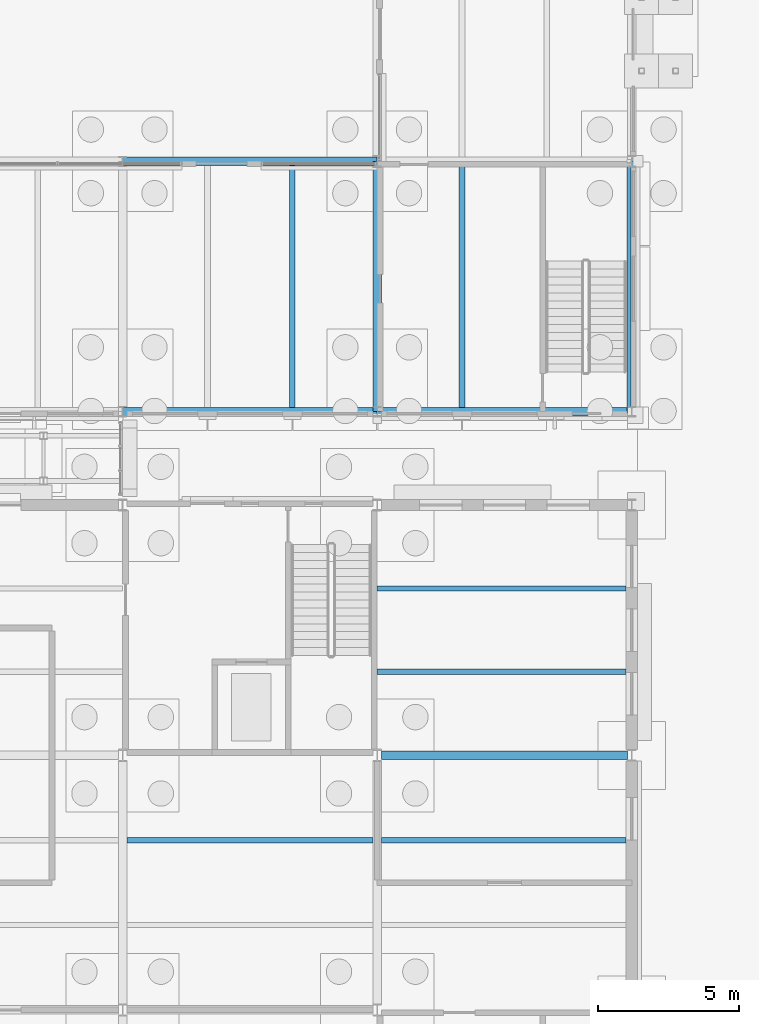
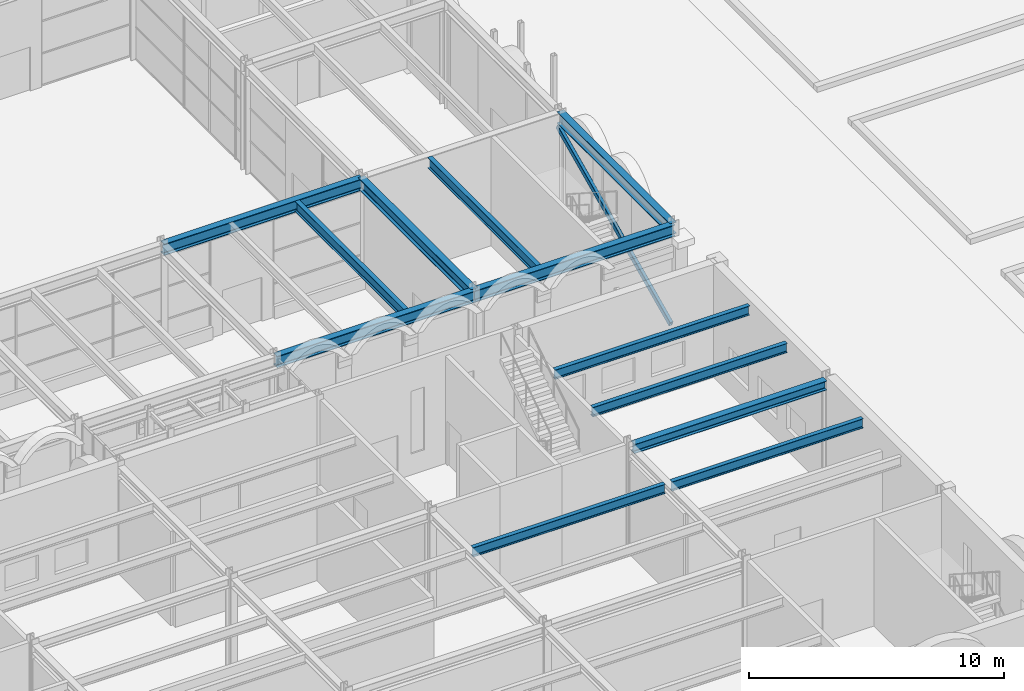
# One storey, part 38 of 126: 12 beams, 1 member.
"""IFC4 building model written with IfcOpenShell, lengths in metres."""

from ifc_helpers import new_model, si_unit, direction, frame, origin, origin_2d, place, context, subcontext, project, spatial, hollow_rectangle, i_section, extrude, material, material_profile, profile_set, type_object, element, save


model = new_model("IFC4")

# Units and contexts
model_context = context("Model", 3, precision=1e-05, world=origin(), true_north=direction((0.0, 1.0)))
body_context = subcontext(model_context, "Body", "Model", "MODEL_VIEW")
ifc_project = project(units=[si_unit("LENGTHUNIT", "METRE"), si_unit("AREAUNIT", "SQUARE_METRE"), si_unit("VOLUMEUNIT", "CUBIC_METRE"), si_unit("PLANEANGLEUNIT", "RADIAN"), si_unit("MASSUNIT", "GRAM", prefix="KILO")], contexts=[model_context])

# Site, building, storey
site_placement = place(None, origin())
site = spatial("IfcSite", under=ifc_project, at=site_placement, CompositionType="ELEMENT")
building_placement = place(site_placement, origin())
building = spatial("IfcBuilding", under=site, at=building_placement, Name="Kallimachos Central Library", CompositionType="ELEMENT")
storey_placement = place(building_placement, origin())
storey = spatial("IfcBuildingStorey", under=building, at=storey_placement, Name="L00", CompositionType="ELEMENT", Elevation=0.0)

# Beams
ifc_material_1 = material(Name="Steel S355J2", Category="steel")
ifc_material_profile_1 = material_profile(ifc_material_1, i_section(OverallWidth=0.300048828125, OverallDepth=0.43994140625, WebThickness=0.011474609375, FlangeThickness=0.02099609375, FilletRadius=0.027099609375, at=origin_2d()), Name="HEA 450")
ifc_profile_set_1 = profile_set([ifc_material_profile_1], Name="Steel S355J2")
beam_type_1 = type_object("IfcBeamType", Name="HEA 450 beam", PredefinedType="BEAM", material=ifc_profile_set_1)
beam_1_placement = place(storey_placement, frame((101.653564453125, 36.0, 4.929931640625), z_axis=(1.0, 0.0, 0.0), x_axis=(0.0, 1.0, 0.0)))
element("IfcBeam", 1, at=beam_1_placement, inside=storey, type_object=beam_type_1, Name="V5-BEM-L00-006", PredefinedType="BEAM", context=body_context, shape_type="SweptSolid", body=[
    extrude(i_section(OverallWidth=0.300048828125, OverallDepth=0.43994140625, WebThickness=0.011474609375, FlangeThickness=0.02099609375, FilletRadius=0.027099609375, at=origin_2d()), origin(), (0.0, 0.0, 1.0), 8.696533203125),
])
ifc_material_2 = material(Name="Steel S355J2", Category="steel")
ifc_material_profile_2 = material_profile(ifc_material_2, i_section(OverallWidth=0.300048828125, OverallDepth=0.550048828125, WebThickness=0.014892578125, FlangeThickness=0.029052734375, FilletRadius=0.027099609375, at=origin_2d()), Name="HEB 550")
ifc_profile_set_2 = profile_set([ifc_material_profile_2], Name="Steel S355J2")
beam_type_2 = type_object("IfcBeamType", Name="HEB 550 beam", PredefinedType="BEAM", material=ifc_profile_set_2)
for number, where, z_axis, x_axis, name in (
    (2, (92.5, 48.14990234375, 4.925048828125), (1.0, 0.0, 0.0), (0.0, 1.0, 0.0), "V4-BEM-L00-044"),
    (3, (101.5, 48.14990234375, 4.925048828125), (1.0, 0.0, 0.0), (0.0, 1.0, 0.0), "V4-BEM-L00-045"),
    (4, (92.5, 57.0, 4.925048828125), (1.0, 0.0, 0.0), (0.0, 1.0, 0.0), "V4-BEM-L00-048"),
):
    element("IfcBeam", number, at=place(storey_placement, frame(where, z_axis=z_axis, x_axis=x_axis)), inside=storey, type_object=beam_type_2, Name=name, PredefinedType="BEAM", context=body_context, shape_type="SweptSolid", body=[
        extrude(i_section(OverallWidth=0.300048828125, OverallDepth=0.550048828125, WebThickness=0.014892578125, FlangeThickness=0.029052734375, FilletRadius=0.027099609375, at=origin_2d()), origin(), (0.0, 0.0, 1.0), 9.0),
    ])
for number, where, z_axis, x_axis, name in (
    (5, (101.5, 48.14990234375, 4.925048828125), (0.0, 1.0, 0.0), (-1.0, 0.0, 0.0), "V4-BEM-L00-053"),
    (6, (110.5, 48.14990234375, 4.925048828125), (0.0, 1.0, 0.0), (-1.0, 0.0, 0.0), "V4-BEM-L00-054"),
):
    element("IfcBeam", number, at=place(storey_placement, frame(where, z_axis=z_axis, x_axis=x_axis)), inside=storey, type_object=beam_type_2, Name=name, PredefinedType="BEAM", context=body_context, shape_type="SweptSolid", body=[
        extrude(i_section(OverallWidth=0.300048828125, OverallDepth=0.550048828125, WebThickness=0.014892578125, FlangeThickness=0.029052734375, FilletRadius=0.027099609375, at=origin_2d()), origin(), (0.0, 0.0, 1.0), 8.85009765625),
    ])
ifc_material_3 = material(Name="Steel S355J2", Category="steel")
ifc_material_profile_3 = material_profile(ifc_material_3, i_section(OverallWidth=0.18994140625, OverallDepth=0.449951171875, WebThickness=0.009521484375, FlangeThickness=0.0146484375, FilletRadius=0.02099609375, at=origin_2d()), Name="IPE 450")
ifc_profile_set_3 = profile_set([ifc_material_profile_3], Name="Steel S355J2")
beam_type_3 = type_object("IfcBeamType", Name="IPE 450 beam", PredefinedType="BEAM", material=ifc_profile_set_3)
beam_2_placement = place(storey_placement, frame((92.64990234375, 33.0, 4.925048828125), z_axis=(1.0, 0.0, 0.0), x_axis=(0.0, 1.0, 0.0)))
element("IfcBeam", 7, at=beam_2_placement, inside=storey, type_object=beam_type_3, Name="V5-BEM-L00-030", PredefinedType="BEAM", context=body_context, shape_type="SweptSolid", body=[
    extrude(i_section(OverallWidth=0.18994140625, OverallDepth=0.449951171875, WebThickness=0.009521484375, FlangeThickness=0.0146484375, FilletRadius=0.02099609375, at=origin_2d()), origin(), (0.0, 0.0, 1.0), 8.7001953125),
])
beam_3_placement = place(storey_placement, frame((101.64990234375, 33.0, 4.925048828125), z_axis=(1.0, 0.0, 0.0), x_axis=(0.0, 1.0, 0.0)))
element("IfcBeam", 8, at=beam_3_placement, inside=storey, type_object=beam_type_3, Name="V5-BEM-L00-032", PredefinedType="BEAM", context=body_context, shape_type="SweptSolid", body=[
    extrude(i_section(OverallWidth=0.18994140625, OverallDepth=0.449951171875, WebThickness=0.009521484375, FlangeThickness=0.0146484375, FilletRadius=0.02099609375, at=origin_2d()), origin(), (0.0, 0.0, 1.0), 8.650146484375),
])
for number, where, z_axis, x_axis, name in (
    (9, (101.5, 38.949951171875, 4.925048828125), (1.0, 0.0, 0.0), (0.0, 1.0, 0.0), "V5-BEM-L00-033"),
    (10, (101.5, 41.89990234375, 4.925048828125), (1.0, 0.0, 0.0), (0.0, 1.0, 0.0), "V5-BEM-L00-034"),
):
    element("IfcBeam", number, at=place(storey_placement, frame(where, z_axis=z_axis, x_axis=x_axis)), inside=storey, type_object=beam_type_3, Name=name, PredefinedType="BEAM", context=body_context, shape_type="SweptSolid", body=[
        extrude(i_section(OverallWidth=0.18994140625, OverallDepth=0.449951171875, WebThickness=0.009521484375, FlangeThickness=0.0146484375, FilletRadius=0.02099609375, at=origin_2d()), origin(), (0.0, 0.0, 1.0), 8.800048828125),
    ])
ifc_material_4 = material(Name="Steel S355J2", Category="steel")
ifc_material_profile_4 = material_profile(ifc_material_4, i_section(OverallWidth=0.199951171875, OverallDepth=0.5, WebThickness=0.01025390625, FlangeThickness=0.01611328125, FilletRadius=0.02099609375, at=origin_2d()), Name="IPE 500")
ifc_profile_set_4 = profile_set([ifc_material_profile_4], Name="Steel S355J2")
beam_type_4 = type_object("IfcBeamType", Name="IPE 500 beam", PredefinedType="BEAM", material=ifc_profile_set_4)
for number, where, z_axis, x_axis, name in (
    (11, (98.5, 48.300048828125, 4.949951171875), (0.0, 1.0, 0.0), (-1.0, 0.0, 0.0), "V4-BEM-L00-061"),
    (12, (104.5, 48.300048828125, 4.949951171875), (0.0, 1.0, 0.0), (-1.0, 0.0, 0.0), "V4-BEM-L00-062"),
):
    element("IfcBeam", number, at=place(storey_placement, frame(where, z_axis=z_axis, x_axis=x_axis)), inside=storey, type_object=beam_type_4, Name=name, PredefinedType="BEAM", context=body_context, shape_type="SweptSolid", body=[
        extrude(i_section(OverallWidth=0.199951171875, OverallDepth=0.5, WebThickness=0.01025390625, FlangeThickness=0.01611328125, FilletRadius=0.02099609375, at=origin_2d()), origin(), (0.0, 0.0, 1.0), 8.550048828125),
    ])

# Member
ifc_material_5 = material(Name="Steel S355J2H", Category="steel")
ifc_material_profile_5 = material_profile(ifc_material_5, hollow_rectangle(XDim=0.14990234375, YDim=0.25, WallThickness=0.010009765625, InnerFilletRadius=0.010009765625, OuterFilletRadius=0.014892578125, at=origin_2d()), Name="RHS 250x150x10")
ifc_profile_set_5 = profile_set([ifc_material_profile_5], Name="Steel S355J2H")
member_type = type_object("IfcMemberType", Name="RHS 250x150x10 brace", PredefinedType="BRACE", material=ifc_profile_set_5)
member_placement = place(storey_placement, frame((110.39990234375, 48.14990234375, 0.39990234375), z_axis=(0.0, 0.907356249397, 0.420362506272), x_axis=(-1.0, 0.0, 0.0)))
element("IfcMember", 13, at=member_placement, inside=storey, type_object=member_type, Name="V4-MEM-L00-004", PredefinedType="BRACE", context=body_context, shape_type="SweptSolid", body=[
    extrude(hollow_rectangle(XDim=0.14990234375, YDim=0.25, WallThickness=0.010009765625, InnerFilletRadius=0.010009765625, OuterFilletRadius=0.014892578125, at=origin_2d()), origin(), (0.0, 0.0, 1.0), 9.753662109375),
])

save(model, "model.ifc")
